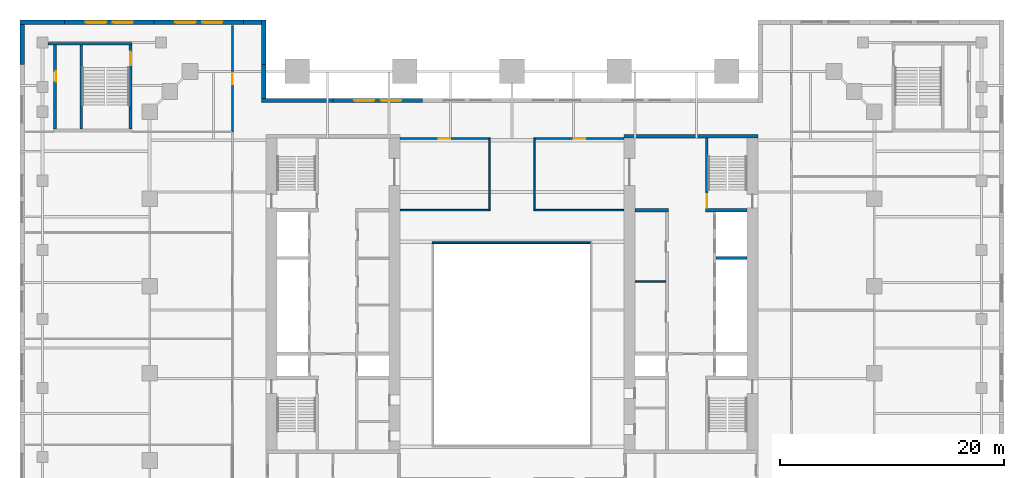
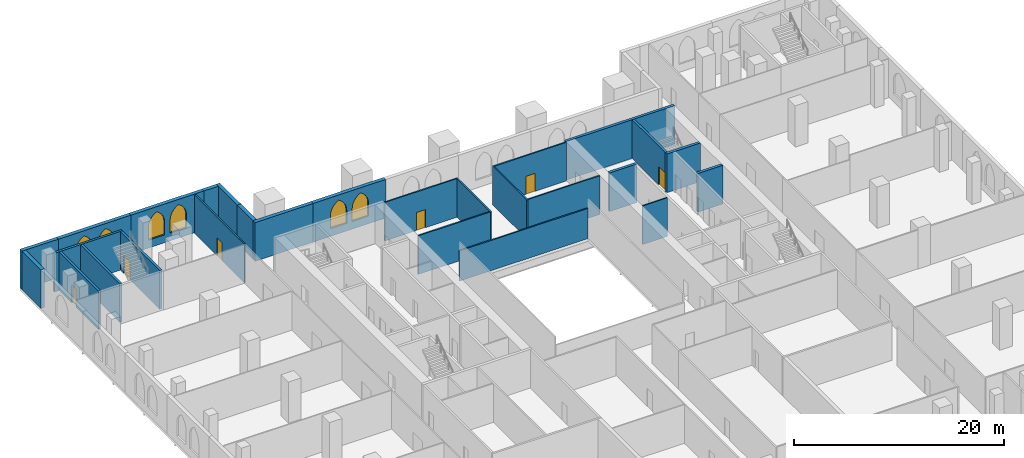
# One storey, part 15 of 19: 27 walls, 6 doors, 6 windows, 12 openings.
"""IFC4 building model written with IfcOpenShell, lengths in metres."""

from ifc_helpers import new_model, si_unit, direction, frame, frame_2d, origin, place, context, subcontext, project, spatial, polyline, rectangle, outline, extrude, material, layer, layer_set, type_object, element, fill, save


model = new_model("IFC4")

# Units and contexts
model_context = context("Model", 3, precision=1e-05, world=origin(), true_north=direction((0.0, 1.0)))
body_context = subcontext(model_context, "Body", "Model", "MODEL_VIEW")
ifc_project = project(units=[si_unit("LENGTHUNIT", "METRE"), si_unit("AREAUNIT", "SQUARE_METRE"), si_unit("VOLUMEUNIT", "CUBIC_METRE"), si_unit("PLANEANGLEUNIT", "RADIAN"), si_unit("MASSUNIT", "GRAM", prefix="KILO")], contexts=[model_context])

# Site, building, storey
site_placement = place(None, origin())
site = spatial("IfcSite", under=ifc_project, at=site_placement, CompositionType="ELEMENT")
building_placement = place(site_placement, origin())
building = spatial("IfcBuilding", under=site, at=building_placement, Name="Ogive Exchange Tower", CompositionType="ELEMENT")
storey_placement = place(building_placement, frame((0.0, 0.0, 19.199951171875)))
storey = spatial("IfcBuildingStorey", under=building, at=storey_placement, Name="L03", CompositionType="ELEMENT", Elevation=19.199951171875)

# Walls
ifc_material_1 = material(Name="Gypsum board partition")
ifc_layer_1 = layer(ifc_material_1, 0.14990234375)
ifc_layer_set_1 = layer_set([ifc_layer_1], Name="Core room partition 150 gypsum")
wall_type_1 = type_object("IfcWallType", Name="Core room partition 150 gypsum", PredefinedType="PARTITIONING", material=ifc_layer_set_1)
wall_1_placement = place(storey_placement, frame((11.0, 12.60009765625, 0.0), z_axis=(0.0, 0.0, 1.0), x_axis=(1.0, 0.0, 0.0)))
element("IfcWall", 1, at=wall_1_placement, inside=storey, type_object=wall_type_1, Name="E row B bay partition 1-1", PredefinedType="PARTITIONING", context=body_context, shape_type="SweptSolid", body=[
    extrude(rectangle(XDim=2.75, YDim=0.14990234375, at=frame_2d((1.375, 0.0))), origin(), (0.0, 0.0, 1.0), 4.5),
])
ifc_layer_2 = layer(ifc_material_1, 0.300048828125)
ifc_layer_set_2 = layer_set([ifc_layer_2], Name="Core room partition 300 gypsum")
wall_type_2 = type_object("IfcWallType", Name="Core room partition 300 gypsum", PredefinedType="PARTITIONING", material=ifc_layer_set_2)
wall_2_placement = place(storey_placement, frame((11.0, 19.0, 0.0), z_axis=(0.0, 0.0, 1.0), x_axis=(1.0, 0.0, 0.0)))
element("IfcWall", 2, at=wall_2_placement, inside=storey, type_object=wall_type_2, Name="E row B room end wall 7", PredefinedType="PARTITIONING", context=body_context, shape_type="SweptSolid", body=[
    extrude(rectangle(XDim=3.0, YDim=0.300048828125, at=frame_2d((1.5, 0.0))), origin(), (0.0, 0.0, 1.0), 4.5),
])
ifc_material_2 = material(Name="Fire partition EI 60 150")
ifc_layer_3 = layer(ifc_material_2, 0.14990234375)
ifc_layer_set_3 = layer_set([ifc_layer_3], Name="Fire partition EI 60 150")
wall_type_3 = type_object("IfcWallType", Name="Fire partition EI 60 150", PredefinedType="PARTITIONING", material=ifc_layer_set_3)
for number, where, z_axis, x_axis, name in (
    (3, (-10.0, 19.0, 0.0), (0.0, 0.0, 1.0), (1.0, 0.0, 0.0), "L03-PWL-029"),
    (4, (2.074951171875, 19.0, 0.0), (0.0, 0.0, 1.0), (1.0, 0.0, 0.0), "L03-PWL-030"),
):
    element("IfcWall", number, at=place(storey_placement, frame(where, z_axis=z_axis, x_axis=x_axis)), inside=storey, type_object=wall_type_3, Name=name, PredefinedType="PARTITIONING", context=body_context, shape_type="SweptSolid", body=[
        extrude(rectangle(XDim=7.925048828125, YDim=0.14990234375, at=frame_2d((3.96240234375, 0.0))), origin(), (0.0, 0.0, 1.0), 4.5),
    ])

# Wall, opening, door
wall_3_placement = place(storey_placement, frame((-10.0, 25.39990234375, 0.0), z_axis=(0.0, 0.0, 1.0), x_axis=(1.0, 0.0, 0.0)))
wall_3 = element("IfcWall", 5, at=wall_3_placement, inside=storey, type_object=wall_type_3, Name="L03-PWL-033", PredefinedType="PARTITIONING", context=body_context, shape_type="SweptSolid", body=[
    extrude(rectangle(XDim=7.925048828125, YDim=0.14990234375, at=frame_2d((3.96240234375, 0.0))), origin(), (0.0, 0.0, 1.0), 4.5),
])
opening_1_placement = place(wall_3_placement, frame((3.46240234375, 0.0, 0.0)))
opening_1 = element("IfcOpeningElement", 6, at=opening_1_placement, cuts=wall_3, Name="Opening L03-I24", PredefinedType="OPENING", context=body_context, shape_type="SweptSolid", body=[
    extrude(rectangle(XDim=1.0, YDim=2.10009765625, at=frame_2d((0.5, 1.050048828125))), frame((0.0, 0.0849609375, 0.0), z_axis=(0.0, -1.0, 0.0), x_axis=(1.0, 0.0, 0.0)), (0.0, 0.0, 1.0), 0.169921875),
])
ifc_material_3 = material(Name="Fire door FD 30S 1000 x 2100")
door_type_1 = type_object("IfcDoorType", Name="Fire door FD 30S 1000 x 2100", OperationType="NOTDEFINED", PredefinedType="DOOR", material=ifc_material_3)
door_1_placement = place(opening_1_placement, frame((1.0, 0.0, 0.0), z_axis=(0.0, 0.0, 1.0), x_axis=(-1.0, 0.0, 0.0)))
door_1 = element("IfcDoor", 7, at=door_1_placement, inside=storey, type_object=door_type_1, Name="L03-IDR-024", ObjectType="DT3", OperationType="SINGLE_SWING_LEFT", OverallHeight=2.10009765625, OverallWidth=1.0, PredefinedType="DOOR", context=body_context, shape_type="SweptSolid", body=[
    extrude(rectangle(XDim=1.0, YDim=2.10009765625, at=frame_2d((0.5, 1.050048828125))), frame((0.0, 0.02490234375, 0.0), z_axis=(0.0, -1.0, 0.0), x_axis=(1.0, 0.0, 0.0)), (0.0, 0.0, 1.0), 0.050048828125),
])
fill(opening_1, door_1)

wall_4_placement = place(storey_placement, frame((2.074951171875, 25.39990234375, 0.0), z_axis=(0.0, 0.0, 1.0), x_axis=(1.0, 0.0, 0.0)))
wall_4 = element("IfcWall", 8, at=wall_4_placement, inside=storey, type_object=wall_type_3, Name="L03-PWL-034", PredefinedType="PARTITIONING", context=body_context, shape_type="SweptSolid", body=[
    extrude(rectangle(XDim=7.925048828125, YDim=0.14990234375, at=frame_2d((3.96240234375, 0.0))), origin(), (0.0, 0.0, 1.0), 4.5),
])
opening_2_placement = place(wall_4_placement, frame((3.46240234375, 0.0, 0.0)))
opening_2 = element("IfcOpeningElement", 9, at=opening_2_placement, cuts=wall_4, Name="Opening L03-I25", PredefinedType="OPENING", context=body_context, shape_type="SweptSolid", body=[
    extrude(rectangle(XDim=1.0, YDim=2.10009765625, at=frame_2d((0.5, 1.050048828125))), frame((0.0, 0.0849609375, 0.0), z_axis=(0.0, -1.0, 0.0), x_axis=(1.0, 0.0, 0.0)), (0.0, 0.0, 1.0), 0.169921875),
])
door_2_placement = place(opening_2_placement, frame((1.0, 0.0, 0.0), z_axis=(0.0, 0.0, 1.0), x_axis=(-1.0, 0.0, 0.0)))
door_2 = element("IfcDoor", 10, at=door_2_placement, inside=storey, type_object=door_type_1, Name="L03-IDR-025", ObjectType="DT3", OperationType="SINGLE_SWING_LEFT", OverallHeight=2.10009765625, OverallWidth=1.0, PredefinedType="DOOR", context=body_context, shape_type="SweptSolid", body=[
    extrude(rectangle(XDim=1.0, YDim=2.10009765625, at=frame_2d((0.5, 1.050048828125))), frame((0.0, 0.02490234375, 0.0), z_axis=(0.0, -1.0, 0.0), x_axis=(1.0, 0.0, 0.0)), (0.0, 0.0, 1.0), 0.050048828125),
])
fill(opening_2, door_2)

wall_5_placement = place(storey_placement, frame((-25.0, 26.0, 0.0), z_axis=(0.0, 0.0, 1.0), x_axis=(0.0, 1.0, 0.0)))
wall_5 = element("IfcWall", 11, at=wall_5_placement, inside=storey, type_object=wall_type_3, Name="L03-PWL-049", PredefinedType="PARTITIONING", context=body_context, shape_type="SweptSolid", body=[
    extrude(rectangle(XDim=9.5, YDim=0.14990234375, at=frame_2d((4.75, 0.0))), origin(), (0.0, 0.0, 1.0), 4.5),
])
opening_3_placement = place(wall_5_placement, frame((4.25, 0.0, 0.0)))
opening_3 = element("IfcOpeningElement", 12, at=opening_3_placement, cuts=wall_5, Name="Opening L03-I01", PredefinedType="OPENING", context=body_context, shape_type="SweptSolid", body=[
    extrude(rectangle(XDim=1.0, YDim=2.10009765625, at=frame_2d((0.5, 1.050048828125))), frame((0.0, 0.0849609375, 0.0), z_axis=(0.0, -1.0, 0.0), x_axis=(1.0, 0.0, 0.0)), (0.0, 0.0, 1.0), 0.169921875),
])
door_3_placement = place(opening_3_placement, origin())
door_3 = element("IfcDoor", 13, at=door_3_placement, inside=storey, type_object=door_type_1, Name="L03-IDR-001", ObjectType="DT3", OperationType="SINGLE_SWING_LEFT", OverallHeight=2.10009765625, OverallWidth=1.0, PredefinedType="DOOR", context=body_context, shape_type="SweptSolid", body=[
    extrude(rectangle(XDim=1.0, YDim=2.10009765625, at=frame_2d((0.5, 1.050048828125))), frame((0.0, 0.02490234375, 0.0), z_axis=(0.0, -1.0, 0.0), x_axis=(1.0, 0.0, 0.0)), (0.0, 0.0, 1.0), 0.050048828125),
])
fill(opening_3, door_3)

# Walls
for number, where, z_axis, x_axis, name in (
    (14, (-2.0, 18.925048828125, 0.0), (0.0, 0.0, 1.0), (0.0, 1.0, 0.0), "L03-PWL-053"),
    (15, (2.0, 18.925048828125, 0.0), (0.0, 0.0, 1.0), (0.0, 1.0, 0.0), "L03-PWL-056"),
):
    element("IfcWall", number, at=place(storey_placement, frame(where, z_axis=z_axis, x_axis=x_axis)), inside=storey, type_object=wall_type_3, Name=name, PredefinedType="PARTITIONING", context=body_context, shape_type="SweptSolid", body=[
        extrude(rectangle(XDim=6.550048828125, YDim=0.14990234375, at=frame_2d((3.27490234375, 0.0))), origin(), (0.0, 0.0, 1.0), 4.5),
    ])
ifc_material_4 = material(Name="Fire-resisting glass in steel frame", Category="steel")
ifc_layer_4 = layer(ifc_material_4, 0.14990234375)
ifc_layer_set_4 = layer_set([ifc_layer_4], Name="Fire-rated glazed wall 150")
wall_type_4 = type_object("IfcWallType", Name="Fire-rated glazed wall 150", PredefinedType="STANDARD", material=ifc_layer_set_4)
wall_6_placement = place(storey_placement, frame((-7.14990234375, 16.074951171875, 0.0), z_axis=(0.0, 0.0, 1.0), x_axis=(1.0, 0.0, 0.0)))
element("IfcWall", 16, at=wall_6_placement, inside=storey, type_object=wall_type_4, Name="Nave enclosure wall 2", PredefinedType="STANDARD", context=body_context, shape_type="SweptSolid", body=[
    extrude(rectangle(XDim=14.14990234375, YDim=0.14990234375, at=frame_2d((7.074951171875, 0.0))), origin(), (0.0, 0.0, 1.0), 3.52001953125),
])

# Wall, openings, windows
ifc_material_5 = material(Name="Precast concrete C40/50", Category="concrete")
ifc_layer_5 = layer(ifc_material_5, 0.39990234375)
ifc_layer_set_5 = layer_set([ifc_layer_5], Name="Limestone-faced wall 400")
wall_type_5 = type_object("IfcWallType", Name="Limestone-faced wall 400", PredefinedType="STANDARD", material=ifc_layer_set_5)
wall_7_placement = place(storey_placement, frame((-8.0, 28.800048828125, 0.0), z_axis=(0.0, 0.0, 1.0), x_axis=(-1.0, 0.0, 0.0)))
wall_7 = element("IfcWall", 17, at=wall_7_placement, inside=storey, type_object=wall_type_5, Name="Podium wall B5", PredefinedType="STANDARD", context=body_context, shape_type="SweptSolid", body=[
    extrude(rectangle(XDim=8.0, YDim=0.39990234375, at=frame_2d((4.0, 0.0))), origin(), (0.0, 0.0, 1.0), 4.5),
])
opening_4_placement = place(wall_7_placement, frame((1.89990234375, 0.0, 0.89990234375)))
opening_4 = element("IfcOpeningElement", 18, at=opening_4_placement, cuts=wall_7, Name="Opening WQ300", PredefinedType="OPENING", context=body_context, shape_type="SweptSolid", body=[
    extrude(outline(polyline([(0.0, 0.0), (1.800048828125, 0.0), (1.800048828125, 1.5), (1.78466796875, 1.72900390625), (1.73828125, 1.953857421875), (1.662353515625, 2.17041015625), (1.557861328125, 2.374755859375), (1.4267578125, 2.56298828125), (1.271484375, 2.73193359375), (1.0947265625, 2.878662109375), (0.89990234375, 3.0), (0.705322265625, 2.878662109375), (0.528564453125, 2.73193359375), (0.373291015625, 2.56298828125), (0.2421875, 2.374755859375), (0.1376953125, 2.17041015625), (0.061767578125, 1.953857421875), (0.015380859375, 1.72900390625), (0.0, 1.5), (0.0, 0.0)])), frame((0.0, 0.2099609375, 0.0), z_axis=(0.0, -1.0, 0.0), x_axis=(1.0, 0.0, 0.0)), (0.0, 0.0, 1.0), 0.419921875),
])
opening_5_placement = place(wall_7_placement, frame((4.300048828125, 0.0, 0.89990234375)))
opening_5 = element("IfcOpeningElement", 19, at=opening_5_placement, cuts=wall_7, Name="Opening WQ300", PredefinedType="OPENING", context=body_context, shape_type="SweptSolid", body=[
    extrude(outline(polyline([(0.0, 0.0), (1.800048828125, 0.0), (1.800048828125, 1.5), (1.78466796875, 1.72900390625), (1.73828125, 1.953857421875), (1.662353515625, 2.17041015625), (1.557861328125, 2.374755859375), (1.4267578125, 2.56298828125), (1.271484375, 2.73193359375), (1.0947265625, 2.878662109375), (0.89990234375, 3.0), (0.705322265625, 2.878662109375), (0.528564453125, 2.73193359375), (0.373291015625, 2.56298828125), (0.2421875, 2.374755859375), (0.1376953125, 2.17041015625), (0.061767578125, 1.953857421875), (0.015380859375, 1.72900390625), (0.0, 1.5), (0.0, 0.0)])), frame((0.0, 0.2099609375, 0.0), z_axis=(0.0, -1.0, 0.0), x_axis=(1.0, 0.0, 0.0)), (0.0, 0.0, 1.0), 0.419921875),
])
ifc_material_6 = material(Name="Clear glass in bronze frame", Category="glass")
window_type = type_object("IfcWindowType", Name="Podium paired lancet 1800 x 3000", PartitioningType="DOUBLE_PANEL_VERTICAL", PredefinedType="WINDOW", material=ifc_material_6)
window_1_placement = place(opening_4_placement, origin())
window_1 = element("IfcWindow", 20, at=window_1_placement, inside=storey, type_object=window_type, Name="Podium paired lancet B5.1", OverallHeight=3.0, OverallWidth=1.800048828125, PartitioningType="DOUBLE_PANEL_VERTICAL", PredefinedType="WINDOW", context=body_context, shape_type="SweptSolid", body=[
    extrude(outline(polyline([(0.0, 0.0), (1.800048828125, 0.0), (1.800048828125, 1.5), (1.78466796875, 1.72900390625), (1.73828125, 1.953857421875), (1.662353515625, 2.17041015625), (1.557861328125, 2.374755859375), (1.4267578125, 2.56298828125), (1.271484375, 2.73193359375), (1.0947265625, 2.878662109375), (0.89990234375, 3.0), (0.705322265625, 2.878662109375), (0.528564453125, 2.73193359375), (0.373291015625, 2.56298828125), (0.2421875, 2.374755859375), (0.1376953125, 2.17041015625), (0.061767578125, 1.953857421875), (0.015380859375, 1.72900390625), (0.0, 1.5), (0.0, 0.0)])), frame((0.0, 0.030029296875, 0.0), z_axis=(0.0, -1.0, 0.0), x_axis=(1.0, 0.0, 0.0)), (0.0, 0.0, 1.0), 0.06005859375),
])
fill(opening_4, window_1)
window_2_placement = place(opening_5_placement, origin())
window_2 = element("IfcWindow", 21, at=window_2_placement, inside=storey, type_object=window_type, Name="Podium paired lancet B5.2", OverallHeight=3.0, OverallWidth=1.800048828125, PartitioningType="DOUBLE_PANEL_VERTICAL", PredefinedType="WINDOW", context=body_context, shape_type="SweptSolid", body=[
    extrude(outline(polyline([(0.0, 0.0), (1.800048828125, 0.0), (1.800048828125, 1.5), (1.78466796875, 1.72900390625), (1.73828125, 1.953857421875), (1.662353515625, 2.17041015625), (1.557861328125, 2.374755859375), (1.4267578125, 2.56298828125), (1.271484375, 2.73193359375), (1.0947265625, 2.878662109375), (0.89990234375, 3.0), (0.705322265625, 2.878662109375), (0.528564453125, 2.73193359375), (0.373291015625, 2.56298828125), (0.2421875, 2.374755859375), (0.1376953125, 2.17041015625), (0.061767578125, 1.953857421875), (0.015380859375, 1.72900390625), (0.0, 1.5), (0.0, 0.0)])), frame((0.0, 0.030029296875, 0.0), z_axis=(0.0, -1.0, 0.0), x_axis=(1.0, 0.0, 0.0)), (0.0, 0.0, 1.0), 0.06005859375),
])
fill(opening_5, window_2)

# Walls
wall_8_placement = place(storey_placement, frame((-16.0, 28.800048828125, 0.0), z_axis=(0.0, 0.0, 1.0), x_axis=(-1.0, 0.0, 0.0)))
element("IfcWall", 22, at=wall_8_placement, inside=storey, type_object=wall_type_5, Name="Podium wall B6", PredefinedType="STANDARD", context=body_context, shape_type="SweptSolid", body=[
    extrude(rectangle(XDim=6.39990234375, YDim=0.39990234375, at=frame_2d((3.199951171875, 0.0))), origin(), (0.0, 0.0, 1.0), 4.5),
])
wall_9_placement = place(storey_placement, frame((-22.199951171875, 29.0, 0.0), z_axis=(0.0, 0.0, 1.0), x_axis=(0.0, 1.0, 0.0)))
element("IfcWall", 23, at=wall_9_placement, inside=storey, type_object=wall_type_5, Name="Podium wall J1", PredefinedType="STANDARD", context=body_context, shape_type="SweptSolid", body=[
    extrude(rectangle(XDim=3.0, YDim=0.39990234375, at=frame_2d((1.5, 0.0))), origin(), (0.0, 0.0, 1.0), 4.5),
])
wall_10_placement = place(storey_placement, frame((-22.199951171875, 32.0, 0.0), z_axis=(0.0, 0.0, 1.0), x_axis=(0.0, 1.0, 0.0)))
element("IfcWall", 24, at=wall_10_placement, inside=storey, type_object=wall_type_5, Name="Podium wall J2", PredefinedType="STANDARD", context=body_context, shape_type="SweptSolid", body=[
    extrude(rectangle(XDim=4.0, YDim=0.39990234375, at=frame_2d((2.0, 0.0))), origin(), (0.0, 0.0, 1.0), 4.5),
])
wall_11_placement = place(storey_placement, frame((-22.39990234375, 35.800048828125, 0.0), z_axis=(0.0, 0.0, 1.0), x_axis=(-1.0, 0.0, 0.0)))
element("IfcWall", 25, at=wall_11_placement, inside=storey, type_object=wall_type_5, Name="Podium wall M1", PredefinedType="STANDARD", context=body_context, shape_type="SweptSolid", body=[
    extrude(rectangle(XDim=1.60009765625, YDim=0.39990234375, at=frame_2d((0.800048828125, 0.0))), origin(), (0.0, 0.0, 1.0), 4.5),
])

# Wall, openings, windows
wall_12_placement = place(storey_placement, frame((-24.0, 35.800048828125, 0.0), z_axis=(0.0, 0.0, 1.0), x_axis=(-1.0, 0.0, 0.0)))
wall_12 = element("IfcWall", 26, at=wall_12_placement, inside=storey, type_object=wall_type_5, Name="Podium wall M2", PredefinedType="STANDARD", context=body_context, shape_type="SweptSolid", body=[
    extrude(rectangle(XDim=8.0, YDim=0.39990234375, at=frame_2d((4.0, 0.0))), origin(), (0.0, 0.0, 1.0), 4.5),
])
opening_6_placement = place(wall_12_placement, frame((1.89990234375, 0.0, 0.89990234375)))
opening_6 = element("IfcOpeningElement", 27, at=opening_6_placement, cuts=wall_12, Name="Opening WQ300", PredefinedType="OPENING", context=body_context, shape_type="SweptSolid", body=[
    extrude(outline(polyline([(0.0, 0.0), (1.800048828125, 0.0), (1.800048828125, 1.5), (1.78466796875, 1.72900390625), (1.73828125, 1.953857421875), (1.662353515625, 2.17041015625), (1.557861328125, 2.374755859375), (1.4267578125, 2.56298828125), (1.271484375, 2.73193359375), (1.0947265625, 2.878662109375), (0.89990234375, 3.0), (0.705322265625, 2.878662109375), (0.528564453125, 2.73193359375), (0.373291015625, 2.56298828125), (0.2421875, 2.374755859375), (0.1376953125, 2.17041015625), (0.061767578125, 1.953857421875), (0.015380859375, 1.72900390625), (0.0, 1.5), (0.0, 0.0)])), frame((0.0, 0.2099609375, 0.0), z_axis=(0.0, -1.0, 0.0), x_axis=(1.0, 0.0, 0.0)), (0.0, 0.0, 1.0), 0.419921875),
])
opening_7_placement = place(wall_12_placement, frame((4.300048828125, 0.0, 0.89990234375)))
opening_7 = element("IfcOpeningElement", 28, at=opening_7_placement, cuts=wall_12, Name="Opening WQ300", PredefinedType="OPENING", context=body_context, shape_type="SweptSolid", body=[
    extrude(outline(polyline([(0.0, 0.0), (1.800048828125, 0.0), (1.800048828125, 1.5), (1.78466796875, 1.72900390625), (1.73828125, 1.953857421875), (1.662353515625, 2.17041015625), (1.557861328125, 2.374755859375), (1.4267578125, 2.56298828125), (1.271484375, 2.73193359375), (1.0947265625, 2.878662109375), (0.89990234375, 3.0), (0.705322265625, 2.878662109375), (0.528564453125, 2.73193359375), (0.373291015625, 2.56298828125), (0.2421875, 2.374755859375), (0.1376953125, 2.17041015625), (0.061767578125, 1.953857421875), (0.015380859375, 1.72900390625), (0.0, 1.5), (0.0, 0.0)])), frame((0.0, 0.2099609375, 0.0), z_axis=(0.0, -1.0, 0.0), x_axis=(1.0, 0.0, 0.0)), (0.0, 0.0, 1.0), 0.419921875),
])
window_3_placement = place(opening_6_placement, origin())
window_3 = element("IfcWindow", 29, at=window_3_placement, inside=storey, type_object=window_type, Name="Podium paired lancet M2.1", OverallHeight=3.0, OverallWidth=1.800048828125, PartitioningType="DOUBLE_PANEL_VERTICAL", PredefinedType="WINDOW", context=body_context, shape_type="SweptSolid", body=[
    extrude(outline(polyline([(0.0, 0.0), (1.800048828125, 0.0), (1.800048828125, 1.5), (1.78466796875, 1.72900390625), (1.73828125, 1.953857421875), (1.662353515625, 2.17041015625), (1.557861328125, 2.374755859375), (1.4267578125, 2.56298828125), (1.271484375, 2.73193359375), (1.0947265625, 2.878662109375), (0.89990234375, 3.0), (0.705322265625, 2.878662109375), (0.528564453125, 2.73193359375), (0.373291015625, 2.56298828125), (0.2421875, 2.374755859375), (0.1376953125, 2.17041015625), (0.061767578125, 1.953857421875), (0.015380859375, 1.72900390625), (0.0, 1.5), (0.0, 0.0)])), frame((0.0, 0.030029296875, 0.0), z_axis=(0.0, -1.0, 0.0), x_axis=(1.0, 0.0, 0.0)), (0.0, 0.0, 1.0), 0.06005859375),
])
fill(opening_6, window_3)
window_4_placement = place(opening_7_placement, origin())
window_4 = element("IfcWindow", 30, at=window_4_placement, inside=storey, type_object=window_type, Name="Podium paired lancet M2.2", OverallHeight=3.0, OverallWidth=1.800048828125, PartitioningType="DOUBLE_PANEL_VERTICAL", PredefinedType="WINDOW", context=body_context, shape_type="SweptSolid", body=[
    extrude(outline(polyline([(0.0, 0.0), (1.800048828125, 0.0), (1.800048828125, 1.5), (1.78466796875, 1.72900390625), (1.73828125, 1.953857421875), (1.662353515625, 2.17041015625), (1.557861328125, 2.374755859375), (1.4267578125, 2.56298828125), (1.271484375, 2.73193359375), (1.0947265625, 2.878662109375), (0.89990234375, 3.0), (0.705322265625, 2.878662109375), (0.528564453125, 2.73193359375), (0.373291015625, 2.56298828125), (0.2421875, 2.374755859375), (0.1376953125, 2.17041015625), (0.061767578125, 1.953857421875), (0.015380859375, 1.72900390625), (0.0, 1.5), (0.0, 0.0)])), frame((0.0, 0.030029296875, 0.0), z_axis=(0.0, -1.0, 0.0), x_axis=(1.0, 0.0, 0.0)), (0.0, 0.0, 1.0), 0.06005859375),
])
fill(opening_7, window_4)

wall_13_placement = place(storey_placement, frame((-32.0, 35.800048828125, 0.0), z_axis=(0.0, 0.0, 1.0), x_axis=(-1.0, 0.0, 0.0)))
wall_13 = element("IfcWall", 31, at=wall_13_placement, inside=storey, type_object=wall_type_5, Name="Podium wall M3", PredefinedType="STANDARD", context=body_context, shape_type="SweptSolid", body=[
    extrude(rectangle(XDim=8.0, YDim=0.39990234375, at=frame_2d((4.0, 0.0))), origin(), (0.0, 0.0, 1.0), 4.5),
])
opening_8_placement = place(wall_13_placement, frame((1.89990234375, 0.0, 0.89990234375)))
opening_8 = element("IfcOpeningElement", 32, at=opening_8_placement, cuts=wall_13, Name="Opening WQ300", PredefinedType="OPENING", context=body_context, shape_type="SweptSolid", body=[
    extrude(outline(polyline([(0.0, 0.0), (1.800048828125, 0.0), (1.800048828125, 1.5), (1.78466796875, 1.72900390625), (1.73828125, 1.953857421875), (1.662353515625, 2.17041015625), (1.557861328125, 2.374755859375), (1.4267578125, 2.56298828125), (1.271484375, 2.73193359375), (1.0947265625, 2.878662109375), (0.89990234375, 3.0), (0.705322265625, 2.878662109375), (0.528564453125, 2.73193359375), (0.373291015625, 2.56298828125), (0.2421875, 2.374755859375), (0.1376953125, 2.17041015625), (0.061767578125, 1.953857421875), (0.015380859375, 1.72900390625), (0.0, 1.5), (0.0, 0.0)])), frame((0.0, 0.2099609375, 0.0), z_axis=(0.0, -1.0, 0.0), x_axis=(1.0, 0.0, 0.0)), (0.0, 0.0, 1.0), 0.419921875),
])
opening_9_placement = place(wall_13_placement, frame((4.300048828125, 0.0, 0.89990234375)))
opening_9 = element("IfcOpeningElement", 33, at=opening_9_placement, cuts=wall_13, Name="Opening WQ300", PredefinedType="OPENING", context=body_context, shape_type="SweptSolid", body=[
    extrude(outline(polyline([(0.0, 0.0), (1.800048828125, 0.0), (1.800048828125, 1.5), (1.78466796875, 1.72900390625), (1.73828125, 1.953857421875), (1.662353515625, 2.17041015625), (1.557861328125, 2.374755859375), (1.4267578125, 2.56298828125), (1.271484375, 2.73193359375), (1.0947265625, 2.878662109375), (0.89990234375, 3.0), (0.705322265625, 2.878662109375), (0.528564453125, 2.73193359375), (0.373291015625, 2.56298828125), (0.2421875, 2.374755859375), (0.1376953125, 2.17041015625), (0.061767578125, 1.953857421875), (0.015380859375, 1.72900390625), (0.0, 1.5), (0.0, 0.0)])), frame((0.0, 0.2099609375, 0.0), z_axis=(0.0, -1.0, 0.0), x_axis=(1.0, 0.0, 0.0)), (0.0, 0.0, 1.0), 0.419921875),
])
window_5_placement = place(opening_8_placement, origin())
window_5 = element("IfcWindow", 34, at=window_5_placement, inside=storey, type_object=window_type, Name="Podium paired lancet M3.1", OverallHeight=3.0, OverallWidth=1.800048828125, PartitioningType="DOUBLE_PANEL_VERTICAL", PredefinedType="WINDOW", context=body_context, shape_type="SweptSolid", body=[
    extrude(outline(polyline([(0.0, 0.0), (1.800048828125, 0.0), (1.800048828125, 1.5), (1.78466796875, 1.72900390625), (1.73828125, 1.953857421875), (1.662353515625, 2.17041015625), (1.557861328125, 2.374755859375), (1.4267578125, 2.56298828125), (1.271484375, 2.73193359375), (1.0947265625, 2.878662109375), (0.89990234375, 3.0), (0.705322265625, 2.878662109375), (0.528564453125, 2.73193359375), (0.373291015625, 2.56298828125), (0.2421875, 2.374755859375), (0.1376953125, 2.17041015625), (0.061767578125, 1.953857421875), (0.015380859375, 1.72900390625), (0.0, 1.5), (0.0, 0.0)])), frame((0.0, 0.030029296875, 0.0), z_axis=(0.0, -1.0, 0.0), x_axis=(1.0, 0.0, 0.0)), (0.0, 0.0, 1.0), 0.06005859375),
])
fill(opening_8, window_5)
window_6_placement = place(opening_9_placement, origin())
window_6 = element("IfcWindow", 35, at=window_6_placement, inside=storey, type_object=window_type, Name="Podium paired lancet M3.2", OverallHeight=3.0, OverallWidth=1.800048828125, PartitioningType="DOUBLE_PANEL_VERTICAL", PredefinedType="WINDOW", context=body_context, shape_type="SweptSolid", body=[
    extrude(outline(polyline([(0.0, 0.0), (1.800048828125, 0.0), (1.800048828125, 1.5), (1.78466796875, 1.72900390625), (1.73828125, 1.953857421875), (1.662353515625, 2.17041015625), (1.557861328125, 2.374755859375), (1.4267578125, 2.56298828125), (1.271484375, 2.73193359375), (1.0947265625, 2.878662109375), (0.89990234375, 3.0), (0.705322265625, 2.878662109375), (0.528564453125, 2.73193359375), (0.373291015625, 2.56298828125), (0.2421875, 2.374755859375), (0.1376953125, 2.17041015625), (0.061767578125, 1.953857421875), (0.015380859375, 1.72900390625), (0.0, 1.5), (0.0, 0.0)])), frame((0.0, 0.030029296875, 0.0), z_axis=(0.0, -1.0, 0.0), x_axis=(1.0, 0.0, 0.0)), (0.0, 0.0, 1.0), 0.06005859375),
])
fill(opening_9, window_6)

# Walls
wall_14_placement = place(storey_placement, frame((-40.0, 35.800048828125, 0.0), z_axis=(0.0, 0.0, 1.0), x_axis=(-1.0, 0.0, 0.0)))
element("IfcWall", 36, at=wall_14_placement, inside=storey, type_object=wall_type_5, Name="Podium wall M4", PredefinedType="STANDARD", context=body_context, shape_type="SweptSolid", body=[
    extrude(rectangle(XDim=4.0, YDim=0.39990234375, at=frame_2d((2.0, 0.0))), origin(), (0.0, 0.0, 1.0), 4.5),
])
wall_15_placement = place(storey_placement, frame((-43.800048828125, 35.60009765625, 0.0), z_axis=(0.0, 0.0, 1.0), x_axis=(0.0, -1.0, 0.0)))
element("IfcWall", 37, at=wall_15_placement, inside=storey, type_object=wall_type_5, Name="Podium wall W1", PredefinedType="STANDARD", context=body_context, shape_type="SweptSolid", body=[
    extrude(rectangle(XDim=3.60009765625, YDim=0.39990234375, at=frame_2d((1.800048828125, 0.0))), origin(), (0.0, 0.0, 1.0), 4.5),
])

# Wall, opening, door
ifc_material_7 = material(Name="Concrete C70/85", Category="concrete")
ifc_layer_6 = layer(ifc_material_7, 0.25)
ifc_layer_set_6 = layer_set([ifc_layer_6], Name="RC core wall 250 C70/85")
wall_type_6 = type_object("IfcWallType", Name="RC core wall 250 C70/85", PredefinedType="SHEAR", material=ifc_layer_set_6)
wall_16_placement = place(storey_placement, frame((17.425048828125, 19.14990234375, 0.0), z_axis=(0.0, 0.0, 1.0), x_axis=(0.0, 1.0, 0.0)))
wall_16 = element("IfcWall", 38, at=wall_16_placement, inside=storey, type_object=wall_type_6, Name="E stair N front wall", PredefinedType="SHEAR", context=body_context, shape_type="SweptSolid", body=[
    extrude(rectangle(XDim=6.300048828125, YDim=0.25, at=frame_2d((3.14990234375, 0.0))), origin(), (0.0, 0.0, 1.0), 4.5),
])
opening_10_placement = place(wall_16_placement, frame((0.050048828125, 0.0, 0.0)))
opening_10 = element("IfcOpeningElement", 39, at=opening_10_placement, cuts=wall_16, Name="Opening L03-C38", PredefinedType="OPENING", context=body_context, shape_type="SweptSolid", body=[
    extrude(rectangle(XDim=1.199951171875, YDim=2.10009765625, at=frame_2d((0.60009765625, 1.050048828125))), frame((0.0, 0.135009765625, 0.0), z_axis=(0.0, -1.0, 0.0), x_axis=(1.0, 0.0, 0.0)), (0.0, 0.0, 1.0), 0.27001953125),
])
ifc_material_8 = material(Name="Steel fire door", Category="steel")
door_type_2 = type_object("IfcDoorType", Name="Stair door FD90 1200 x 2100", OperationType="NOTDEFINED", PredefinedType="DOOR", material=ifc_material_8)
door_4_placement = place(opening_10_placement, frame((1.199951171875, 0.0, 0.0), z_axis=(0.0, 0.0, 1.0), x_axis=(-1.0, 0.0, 0.0)))
door_4 = element("IfcDoor", 40, at=door_4_placement, inside=storey, type_object=door_type_2, Name="Stair door", ObjectType="CD5", OperationType="SINGLE_SWING_LEFT", OverallHeight=2.10009765625, OverallWidth=1.199951171875, PredefinedType="DOOR", context=body_context, shape_type="SweptSolid", body=[
    extrude(rectangle(XDim=1.199951171875, YDim=2.10009765625, at=frame_2d((0.60009765625, 1.050048828125))), frame((0.0, 0.02490234375, 0.0), z_axis=(0.0, -1.0, 0.0), x_axis=(1.0, 0.0, 0.0)), (0.0, 0.0, 1.0), 0.050048828125),
])
fill(opening_10, door_4)

# Wall
wall_17_placement = place(storey_placement, frame((-41.5, 33.875, 0.0), z_axis=(0.0, 0.0, 1.0), x_axis=(1.0, 0.0, 0.0)))
element("IfcWall", 41, at=wall_17_placement, inside=storey, type_object=wall_type_6, Name="PS3 north wall", PredefinedType="SHEAR", context=body_context, shape_type="SweptSolid", body=[
    extrude(rectangle(XDim=7.5, YDim=0.25, at=frame_2d((3.75, 0.0))), origin(), (0.0, 0.0, 1.0), 4.5),
])

# Wall, opening, door
wall_18_placement = place(storey_placement, frame((-40.875, 26.25, 0.0), z_axis=(0.0, 0.0, 1.0), x_axis=(0.0, 1.0, 0.0)))
wall_18 = element("IfcWall", 42, at=wall_18_placement, inside=storey, type_object=wall_type_6, Name="PS3 west wall", PredefinedType="SHEAR", context=body_context, shape_type="SweptSolid", body=[
    extrude(rectangle(XDim=7.5, YDim=0.25, at=frame_2d((3.75, 0.0))), origin(), (0.0, 0.0, 1.0), 4.5),
])
opening_11_placement = place(wall_18_placement, frame((4.25, 0.0, 0.0)))
opening_11 = element("IfcOpeningElement", 43, at=opening_11_placement, cuts=wall_18, Name="Opening L03-C50", PredefinedType="OPENING", context=body_context, shape_type="SweptSolid", body=[
    extrude(rectangle(XDim=0.89990234375, YDim=2.10009765625, at=frame_2d((0.449951171875, 1.050048828125))), frame((0.0, 0.135009765625, 0.0), z_axis=(0.0, -1.0, 0.0), x_axis=(1.0, 0.0, 0.0)), (0.0, 0.0, 1.0), 0.27001953125),
])
door_type_3 = type_object("IfcDoorType", Name="Riser door FD60 900 x 2100", OperationType="NOTDEFINED", PredefinedType="DOOR", material=ifc_material_8)
door_5_placement = place(opening_11_placement, origin())
door_5 = element("IfcDoor", 44, at=door_5_placement, inside=storey, type_object=door_type_3, Name="Riser door", ObjectType="CD2", OperationType="SINGLE_SWING_LEFT", OverallHeight=2.10009765625, OverallWidth=0.89990234375, PredefinedType="DOOR", context=body_context, shape_type="SweptSolid", body=[
    extrude(rectangle(XDim=0.89990234375, YDim=2.10009765625, at=frame_2d((0.449951171875, 1.050048828125))), frame((0.0, -0.0751953125, 0.0), z_axis=(0.0, -1.0, 0.0), x_axis=(1.0, 0.0, 0.0)), (0.0, 0.0, 1.0), 0.050048828125),
])
fill(opening_11, door_5)

wall_19_placement = place(storey_placement, frame((-34.125, 26.25, 0.0), z_axis=(0.0, 0.0, 1.0), x_axis=(0.0, 1.0, 0.0)))
wall_19 = element("IfcWall", 45, at=wall_19_placement, inside=storey, type_object=wall_type_6, Name="PS3 east wall", PredefinedType="SHEAR", context=body_context, shape_type="SweptSolid", body=[
    extrude(rectangle(XDim=7.5, YDim=0.25, at=frame_2d((3.75, 0.0))), origin(), (0.0, 0.0, 1.0), 4.5),
])
opening_12_placement = place(wall_19_placement, frame((5.699951171875, 0.0, 0.0)))
opening_12 = element("IfcOpeningElement", 46, at=opening_12_placement, cuts=wall_19, Name="Opening L03-C49", PredefinedType="OPENING", context=body_context, shape_type="SweptSolid", body=[
    extrude(rectangle(XDim=1.199951171875, YDim=2.10009765625, at=frame_2d((0.60009765625, 1.050048828125))), frame((0.0, 0.135009765625, 0.0), z_axis=(0.0, -1.0, 0.0), x_axis=(1.0, 0.0, 0.0)), (0.0, 0.0, 1.0), 0.27001953125),
])
door_6_placement = place(opening_12_placement, origin())
door_6 = element("IfcDoor", 47, at=door_6_placement, inside=storey, type_object=door_type_2, Name="Stair door", ObjectType="CD5", OperationType="SINGLE_SWING_LEFT", OverallHeight=2.10009765625, OverallWidth=1.199951171875, PredefinedType="DOOR", context=body_context, shape_type="SweptSolid", body=[
    extrude(rectangle(XDim=1.199951171875, YDim=2.10009765625, at=frame_2d((0.60009765625, 1.050048828125))), frame((0.0, 0.02490234375, 0.0), z_axis=(0.0, -1.0, 0.0), x_axis=(1.0, 0.0, 0.0)), (0.0, 0.0, 1.0), 0.050048828125),
])
fill(opening_12, door_6)

# Walls
wall_20_placement = place(storey_placement, frame((-38.52490234375, 26.25, 0.0), z_axis=(0.0, 0.0, 1.0), x_axis=(0.0, 1.0, 0.0)))
element("IfcWall", 48, at=wall_20_placement, inside=storey, type_object=wall_type_6, Name="PS3 partition wall", PredefinedType="SHEAR", context=body_context, shape_type="SweptSolid", body=[
    extrude(rectangle(XDim=7.5, YDim=0.25, at=frame_2d((3.75, 0.0))), origin(), (0.0, 0.0, 1.0), 4.5),
])
ifc_layer_7 = layer(ifc_material_7, 0.300048828125)
ifc_layer_set_7 = layer_set([ifc_layer_7], Name="RC core wall 300 C70/85")
wall_type_7 = type_object("IfcWallType", Name="RC core wall 300 C70/85", PredefinedType="SHEAR", material=ifc_layer_set_7)
wall_21_placement = place(storey_placement, frame((10.0, 25.60009765625, 0.0), z_axis=(0.0, 0.0, 1.0), x_axis=(1.0, 0.0, 0.0)))
element("IfcWall", 49, at=wall_21_placement, inside=storey, type_object=wall_type_7, Name="E north end wall", PredefinedType="SHEAR", context=body_context, shape_type="SweptSolid", body=[
    extrude(rectangle(XDim=12.0, YDim=0.300048828125, at=frame_2d((6.0, 0.0))), origin(), (0.0, 0.0, 1.0), 4.5),
])
wall_22_placement = place(storey_placement, frame((17.300048828125, 19.0, 0.0), z_axis=(0.0, 0.0, 1.0), x_axis=(1.0, 0.0, 0.0)))
element("IfcWall", 50, at=wall_22_placement, inside=storey, type_object=wall_type_7, Name="E stair N south wall", PredefinedType="SHEAR", context=body_context, shape_type="SweptSolid", body=[
    extrude(rectangle(XDim=3.699951171875, YDim=0.300048828125, at=frame_2d((1.85009765625, 0.0))), origin(), (0.0, 0.0, 1.0), 4.5),
])
wall_23_placement = place(storey_placement, frame((18.25, 14.71435546875, 0.0), z_axis=(0.0, 0.0, 1.0), x_axis=(1.0, 0.0, 0.0)))
element("IfcWall", 51, at=wall_23_placement, inside=storey, type_object=wall_type_7, Name="E row A divider 5", PredefinedType="SHEAR", context=body_context, shape_type="SweptSolid", body=[
    extrude(rectangle(XDim=2.75, YDim=0.300048828125, at=frame_2d((1.375, 0.0))), origin(), (0.0, 0.0, 1.0), 4.5),
])

save(model, "model.ifc")
